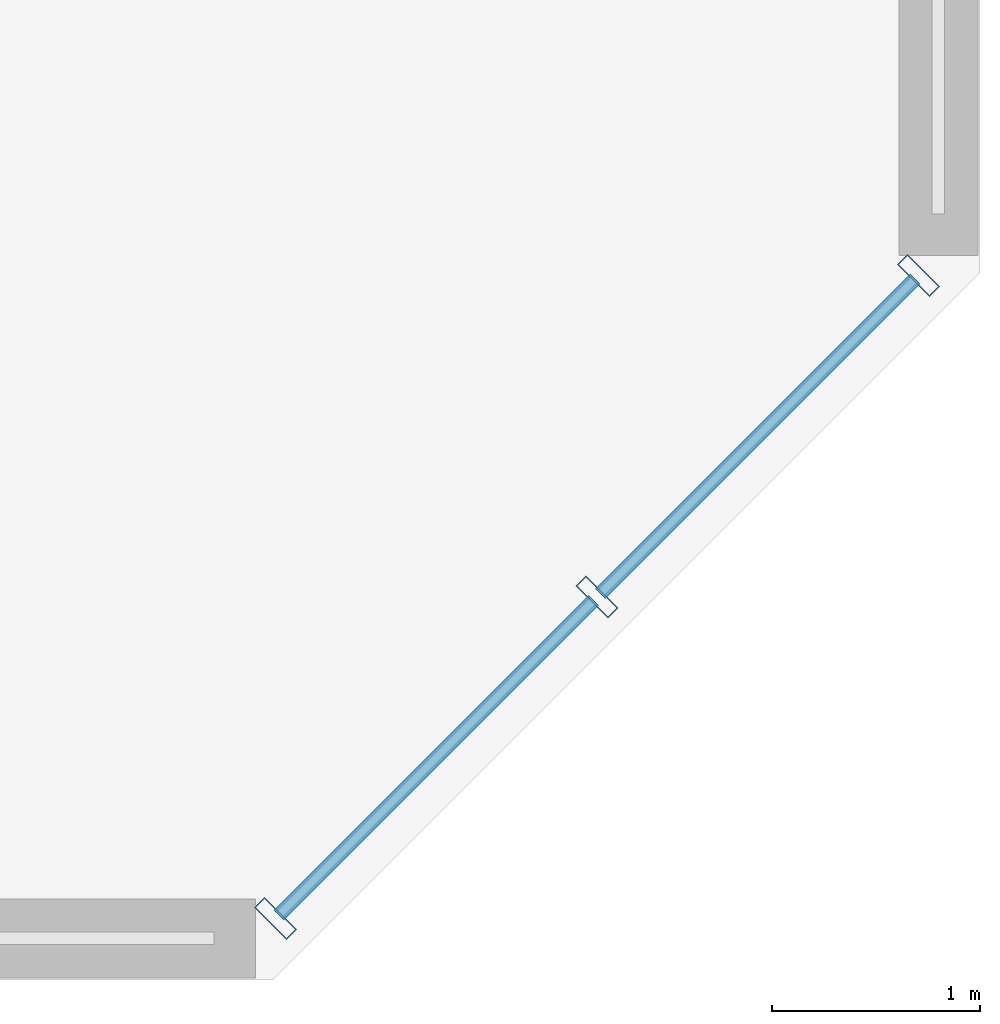
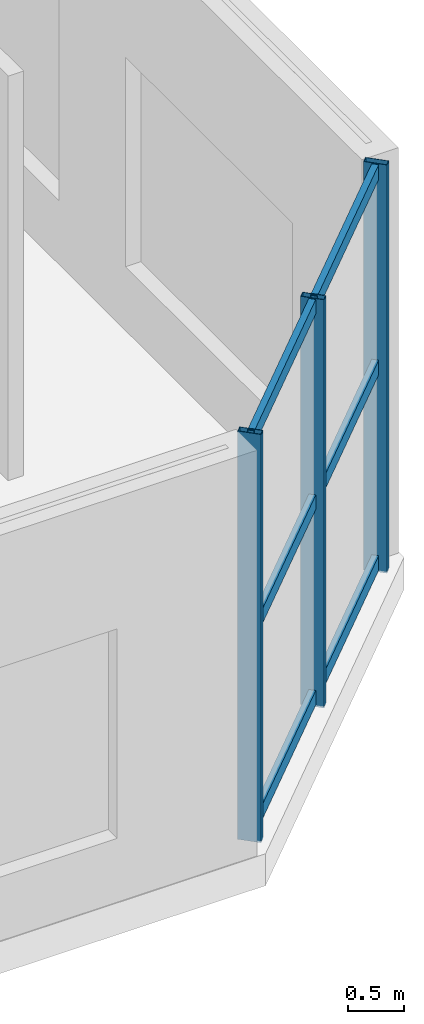
# One storey, part 6 of 22: 9 members, 1 element without a shape of its own.
"""IFC4 building model written with IfcOpenShell, lengths in metres."""

from ifc_helpers import new_model, si_unit, direction, frame, origin, origin_2d, place, context, subcontext, project, spatial, hollow_rectangle, extrude, source, transform, mapped, material, material_profile, profile_set, type_object, element, aggregate, save


model = new_model("IFC4")

# Units and contexts
model_context = context("Model", 3, precision=1e-05, world=origin(), true_north=direction((0.0, 1.0)))
body_context = subcontext(model_context, "Body", "Model", "MODEL_VIEW")
ifc_project = project(units=[si_unit("LENGTHUNIT", "METRE"), si_unit("AREAUNIT", "SQUARE_METRE"), si_unit("VOLUMEUNIT", "CUBIC_METRE"), si_unit("PLANEANGLEUNIT", "RADIAN"), si_unit("MASSUNIT", "GRAM", prefix="KILO")], contexts=[model_context])

# Site, building, storey
site_placement = place(None, origin())
site = spatial("IfcSite", under=ifc_project, at=site_placement, CompositionType="ELEMENT")
building_placement = place(site_placement, origin())
building = spatial("IfcBuilding", under=site, at=building_placement, Name="Tlacorven Tower", CompositionType="ELEMENT")
storey_placement = place(building_placement, frame((0.0, 0.0, 5.39990234375)))
storey = spatial("IfcBuildingStorey", under=building, at=storey_placement, Name="L01", CompositionType="ELEMENT", Elevation=5.39990234375)

# Curtain wall, members
ifc_material_1 = material(Name="Dark solar low-E double glazing in aluminium frame", Category="aluminium")
curtain_wall_type = type_object("IfcCurtainWallType", Name="CW-STN-CONCOURSE", PredefinedType="USERDEFINED", material=ifc_material_1)
curtain_wall_placement = place(storey_placement, origin())
curtain_wall = element("IfcCurtainWall", 1, at=curtain_wall_placement, inside=storey, type_object=curtain_wall_type, Name="L01 Podium Chamfer Curtain Wall 7", ObjectType="UNITISED CURTAIN WALL", PredefinedType="USERDEFINED")
ifc_material_2 = material(Name="Aluminium 6063-T6 anodised", Category="aluminium")
ifc_material_profile_1 = material_profile(ifc_material_2, hollow_rectangle(XDim=0.06494140625, YDim=0.159912109375, WallThickness=0.00390625, at=origin_2d()), Name="ALU TRANSOM 65X160")
ifc_profile_set_1 = profile_set([ifc_material_profile_1], Name="Aluminium 6063-T6 anodised")
member_type_1 = type_object("IfcMemberType", Name="CWT-01", PredefinedType="USERDEFINED", material=ifc_profile_set_1)
shared_shape_1 = source(origin(), body_context, "Body", "SweptSolid", [
    extrude(hollow_rectangle(XDim=0.06494140625, YDim=0.159912109375, WallThickness=0.00390625, at=origin_2d()), origin(), (0.0, 0.0, 1.0), 2.140380859375),
])
member_1_placement = place(storey_placement, frame((70.288330078125, 4.771240234375, 0.080078125), z_axis=(-0.707049749547, -0.707163808226, 0.0), x_axis=(0.707163808226, -0.707049749547, 0.0)))
member_1 = element("IfcMember", 2, at=member_1_placement, type_object=member_type_1, Name="CW-L01-008 Transom 1", ObjectType="TRANSOM", PredefinedType="USERDEFINED", context=body_context, shape_type="MappedRepresentation", body=[
    mapped(shared_shape_1, transform((0.0, 0.0, 0.0), scale=1.0)),
])
member_2_placement = place(storey_placement, frame((70.288330078125, 4.771240234375, 2.22509765625), z_axis=(-0.707049749547, -0.707163808226, 0.0), x_axis=(0.707163808226, -0.707049749547, 0.0)))
member_2 = element("IfcMember", 3, at=member_2_placement, type_object=member_type_1, Name="CW-L01-008 Transom 2", ObjectType="TRANSOM", PredefinedType="USERDEFINED", context=body_context, shape_type="MappedRepresentation", body=[
    mapped(shared_shape_1, transform((0.0, 0.0, 0.0), scale=1.0)),
])
member_3_placement = place(storey_placement, frame((70.288330078125, 4.771240234375, 4.3701171875), z_axis=(-0.707049749547, -0.707163808226, 0.0), x_axis=(0.707163808226, -0.707049749547, 0.0)))
member_3 = element("IfcMember", 4, at=member_3_placement, type_object=member_type_1, Name="CW-L01-008 Transom 3", ObjectType="TRANSOM", PredefinedType="USERDEFINED", context=body_context, shape_type="MappedRepresentation", body=[
    mapped(shared_shape_1, transform((0.0, 0.0, 0.0), scale=1.0)),
])
member_4_placement = place(storey_placement, frame((68.742431640625, 3.22509765625, 0.080078125), z_axis=(-0.707163808226, -0.707049749547, 0.0), x_axis=(0.707049749547, -0.707163808226, 0.0)))
member_4 = element("IfcMember", 5, at=member_4_placement, type_object=member_type_1, Name="CW-L01-008 Transom 4", ObjectType="TRANSOM", PredefinedType="USERDEFINED", context=body_context, shape_type="MappedRepresentation", body=[
    mapped(shared_shape_1, transform((0.0, 0.0, 0.0), scale=1.0)),
])
member_5_placement = place(storey_placement, frame((68.742431640625, 3.22509765625, 2.22509765625), z_axis=(-0.707163808226, -0.707049749547, 0.0), x_axis=(0.707049749547, -0.707163808226, 0.0)))
member_5 = element("IfcMember", 6, at=member_5_placement, type_object=member_type_1, Name="CW-L01-008 Transom 5", ObjectType="TRANSOM", PredefinedType="USERDEFINED", context=body_context, shape_type="MappedRepresentation", body=[
    mapped(shared_shape_1, transform((0.0, 0.0, 0.0), scale=1.0)),
])
member_6_placement = place(storey_placement, frame((68.742431640625, 3.22509765625, 4.3701171875), z_axis=(-0.707163808226, -0.707049749547, 0.0), x_axis=(0.707049749547, -0.707163808226, 0.0)))
member_6 = element("IfcMember", 7, at=member_6_placement, type_object=member_type_1, Name="CW-L01-008 Transom 6", ObjectType="TRANSOM", PredefinedType="USERDEFINED", context=body_context, shape_type="MappedRepresentation", body=[
    mapped(shared_shape_1, transform((0.0, 0.0, 0.0), scale=1.0)),
])
ifc_material_profile_2 = material_profile(ifc_material_2, hollow_rectangle(XDim=0.070068359375, YDim=0.219970703125, WallThickness=0.0048828125, at=origin_2d()), Name="ALU MULLION 70X220")
ifc_profile_set_2 = profile_set([ifc_material_profile_2], Name="Aluminium 6063-T6 anodised")
member_type_2 = type_object("IfcMemberType", Name="CWM-01", PredefinedType="MULLION", material=ifc_profile_set_2)
shared_shape_2 = source(origin(), body_context, "Body", "SweptSolid", [
    extrude(hollow_rectangle(XDim=0.070068359375, YDim=0.219970703125, WallThickness=0.0048828125, at=origin_2d()), origin(), (0.0, 0.0, 1.0), 4.480224609375),
])
member_7_placement = place(storey_placement, frame((70.304443359375, 4.787353515625, -0.02001953125), z_axis=(0.0, 0.0, 1.0), x_axis=(-0.707106781187, -0.707106781187, 0.0)))
member_7 = element("IfcMember", 8, at=member_7_placement, type_object=member_type_2, Name="CW-L01-008 Mullion 1", PredefinedType="MULLION", context=body_context, shape_type="MappedRepresentation", body=[
    mapped(shared_shape_2, transform((0.0, 0.0, 0.0), scale=1.0)),
])
member_8_placement = place(storey_placement, frame((68.758544921875, 3.241455078125, -0.02001953125), z_axis=(0.0, 0.0, 1.0), x_axis=(-0.707106781187, -0.707106781187, 0.0)))
member_8 = element("IfcMember", 9, at=member_8_placement, type_object=member_type_2, Name="CW-L01-008 Mullion 2", PredefinedType="MULLION", context=body_context, shape_type="MappedRepresentation", body=[
    mapped(shared_shape_2, transform((0.0, 0.0, 0.0), scale=1.0)),
])
member_9_placement = place(storey_placement, frame((67.212646484375, 1.695556640625, -0.02001953125), z_axis=(0.0, 0.0, 1.0), x_axis=(-0.707106781187, -0.707106781187, 0.0)))
member_9 = element("IfcMember", 10, at=member_9_placement, type_object=member_type_2, Name="CW-L01-008 Mullion 3", PredefinedType="MULLION", context=body_context, shape_type="MappedRepresentation", body=[
    mapped(shared_shape_2, transform((0.0, 0.0, 0.0), scale=1.0)),
])
aggregate(curtain_wall, [member_7, member_8, member_9, member_1, member_2, member_3, member_4, member_5, member_6])

save(model, "model.ifc")
